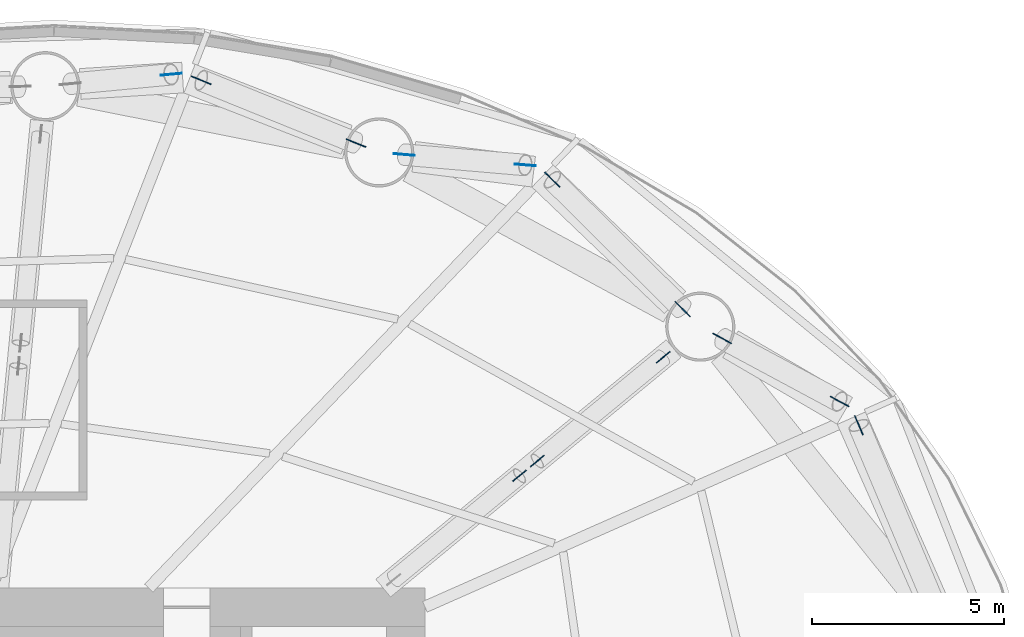
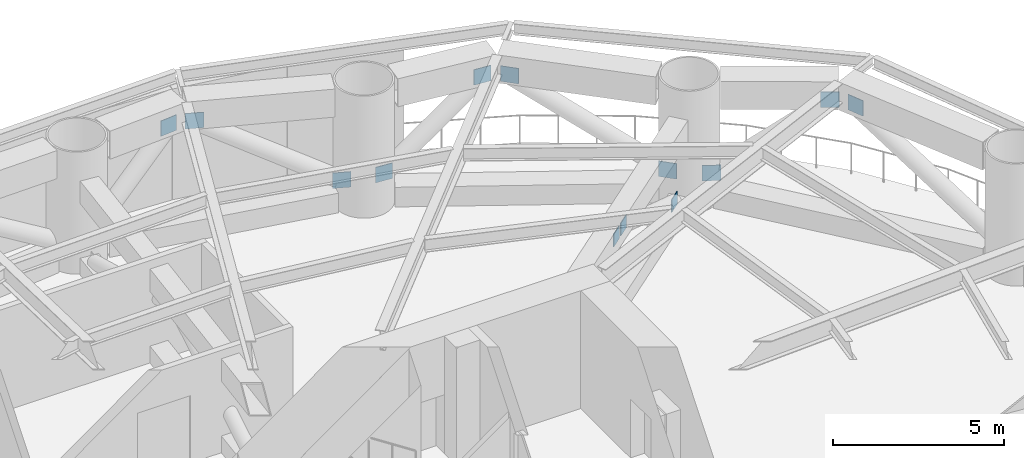
# One storey, part 12 of 15: 13 discrete accessories.
"""IFC4 building model written with IfcOpenShell, lengths in metres."""

import ifcopenshell
import ifcopenshell.guid

model = None  # the IFC model being written
_history = None  # IfcOwnerHistory: only IFC2X3 demands one
_inside = {}  # id of a spatial element -> (the spatial element, [elements in it])
_under = {}  # id of a project, library or spatial element -> (it, [spatial elements below it])
_declared = {}  # id of a project -> (the project, [libraries it declares])
_typed = {}  # id of a type object -> (the type object, [elements of that type])
_made_of = {}  # id of a material, layer set ... -> (it, [elements and type objects made of it])


def new_model(schema):
    """Start an empty IFC model of exactly this schema.

    Asked for "IFC4X3", IfcOpenShell would pick the latest addendum, in which some entities
    have other attributes; the version numbers below select the first issue.
    IFC2X3 requires an IfcOwnerHistory on every rooted entity: one is made here for all.
    """
    global model, _history
    if schema == "IFC4X3":
        model = ifcopenshell.file(schema_version=(4, 3, 0, 0))
    else:
        model = ifcopenshell.file(schema=schema)
    _inside.clear()
    _under.clear()
    _declared.clear()
    _typed.clear()
    _made_of.clear()
    _history = None
    if model.schema == "IFC2X3":
        org = make("IfcOrganization", Name="unknown")
        user = make(
            "IfcPersonAndOrganization",
            ThePerson=make("IfcPerson", FamilyName="unknown"),
            TheOrganization=org,
        )
        app = make(
            "IfcApplication",
            ApplicationDeveloper=org,
            Version="unknown",
            ApplicationFullName="unknown",
            ApplicationIdentifier="unknown",
        )
        _history = make(
            "IfcOwnerHistory",
            OwningUser=user,
            OwningApplication=app,
            ChangeAction="ADDED",
            CreationDate=0,
        )
    return model


def make(cls, **values):
    """One entity of the class cls with the attributes given. An attribute that is None is left unset."""
    return model.create_entity(
        cls, **{name: value for name, value in values.items() if value is not None}
    )


def rooted(cls, **values):
    """An entity with a GlobalId (a new one), such as an element, a storey or a relation."""
    return make(cls, GlobalId=ifcopenshell.guid.new(), OwnerHistory=_history, **values)


def si_unit(unit_type, name, prefix=None):
    """IfcSIUnit, for example si_unit("LENGTHUNIT", "METRE", prefix="MILLI")."""
    return make("IfcSIUnit", UnitType=unit_type, Prefix=prefix, Name=name)


def assignment(units):
    """IfcUnitAssignment: the units of a project."""
    return None if units is None else make("IfcUnitAssignment", Units=units)


def point(xyz):
    """IfcCartesianPoint."""
    return None if xyz is None else make("IfcCartesianPoint", Coordinates=xyz)


def direction(xyz):
    """IfcDirection."""
    return None if xyz is None else make("IfcDirection", DirectionRatios=xyz)


def frame(location, z_axis=None, x_axis=None):
    """IfcAxis2Placement3D, a coordinate frame: its origin and axes. An axis left out is left unset."""
    return make(
        "IfcAxis2Placement3D",
        Location=point(location),
        Axis=direction(z_axis),
        RefDirection=direction(x_axis),
    )


def frame_2d(location, x_axis=None):
    """IfcAxis2Placement2D, a coordinate frame in the plane: its origin and x axis."""
    return make(
        "IfcAxis2Placement2D", Location=point(location), RefDirection=direction(x_axis)
    )


def origin():
    """The frame at (0, 0, 0) with its axes left unset."""
    return frame((0.0, 0.0, 0.0))


def origin_2d():
    """The frame at (0, 0) in the plane with its x axis left unset."""
    return frame_2d((0.0, 0.0))


def place(relative_to, where):
    """IfcLocalPlacement: puts the frame where relative to a parent placement (None: the world)."""
    return make(
        "IfcLocalPlacement", PlacementRelTo=relative_to, RelativePlacement=where
    )


def context(
    kind, dimensions, precision=None, world=None, true_north=None, identifier=None
):
    """IfcGeometricRepresentationContext, for example the 3D "Model" context."""
    return make(
        "IfcGeometricRepresentationContext",
        ContextIdentifier=identifier,
        ContextType=kind,
        CoordinateSpaceDimension=dimensions,
        Precision=precision,
        WorldCoordinateSystem=world,
        TrueNorth=true_north,
    )


def subcontext(parent, identifier, kind, view, scale=None):
    """IfcGeometricRepresentationSubContext, for example "Body" below "Model"."""
    return make(
        "IfcGeometricRepresentationSubContext",
        ContextIdentifier=identifier,
        ContextType=kind,
        ParentContext=parent,
        TargetScale=scale,
        TargetView=view,
    )


def project(units=None, contexts=None):
    """IfcProject with its units and contexts."""
    return rooted(
        "IfcProject",
        Name="project",
        RepresentationContexts=contexts,
        UnitsInContext=assignment(units),
    )


def spatial(cls, under=None, at=None, **own):
    """A site, building, storey or space (cls), placed at a placement, below another one or the project."""
    s = rooted(cls, ObjectPlacement=at, **own)
    if under is not None:
        _under.setdefault(under.id(), (under, []))[1].append(s)
    return s


def profile(cls, at=None, kind="AREA", **sizes):
    """A parametric profile (cls). Its sizes go by their IFC names, for example OverallWidth=200.0."""
    return make(cls, ProfileType=kind, Position=at, **sizes)


def rectangle(**sizes):
    """IfcRectangleProfileDef."""
    return profile("IfcRectangleProfileDef", **sizes)


def extrude(swept, where, along, depth):
    """IfcExtrudedAreaSolid: the profile swept, set in the frame where, extruded along a direction by depth."""
    return make(
        "IfcExtrudedAreaSolid",
        SweptArea=swept,
        Position=where,
        ExtrudedDirection=direction(along),
        Depth=depth,
    )


def shape(context_of_items, identifier, shape_type, items):
    """IfcShapeRepresentation: the items that make up one representation, for example the "Body"."""
    return make(
        "IfcShapeRepresentation",
        ContextOfItems=context_of_items,
        RepresentationIdentifier=identifier,
        RepresentationType=shape_type,
        Items=items,
    )


def made_of(thing, what):
    """Note that an element or type object is made of a material, layer set ...; save() writes the relation."""
    if what is not None:
        _made_of.setdefault(what.id(), (what, []))[1].append(thing)
    return thing


def element(
    cls,
    number,
    at=None,
    inside=None,
    cuts=None,
    type_object=None,
    material=None,
    context=None,
    identifier="Body",
    shape_type=None,
    held_by="IfcProductDefinitionShape",
    body=None,
    shapes=None,
    **own,
):
    """One element of the class cls, such as IfcWall. Its Tag is "e" and its number.

    at: its placement. inside: the storey or other place that contains it. cuts: it is an
    opening in that element (IfcRelVoidsElement). A single representation is given by context,
    identifier, shape_type and body (its items); several are given by shapes. held_by: the class
    of the entity that holds the representations. save() writes the other relations.
    """
    e = rooted(cls, Tag="e%d" % number, ObjectPlacement=at, **own)
    if body is not None:
        shapes = [shape(context, identifier, shape_type, body)]
    if shapes is not None:
        e.Representation = make(held_by, Representations=shapes)
    if inside is not None:
        _inside.setdefault(inside.id(), (inside, []))[1].append(e)
    if cuts is not None:
        rooted(
            "IfcRelVoidsElement", RelatingBuildingElement=cuts, RelatedOpeningElement=e
        )
    if type_object is not None:
        _typed.setdefault(type_object.id(), (type_object, []))[1].append(e)
    return made_of(e, material)


def aggregate(whole, parts):
    """IfcRelAggregates: a whole, such as a stair, and the parts it consists of."""
    return rooted("IfcRelAggregates", RelatingObject=whole, RelatedObjects=parts)


def save(model, path):
    """Write the relations noted so far, then the file.

    IfcRelAggregates (storeys below a building ...), IfcRelContainedInSpatialStructure (elements
    in a storey), IfcRelDefinesByType, IfcRelAssociatesMaterial and IfcRelDeclares: one each for
    every whole, place, type object, material and project.
    """
    for whole, parts in _under.values():
        aggregate(whole, parts)
    for where, things in _inside.values():
        rooted(
            "IfcRelContainedInSpatialStructure",
            RelatedElements=things,
            RelatingStructure=where,
        )
    for kind, things in _typed.values():
        rooted("IfcRelDefinesByType", RelatedObjects=things, RelatingType=kind)
    for what, things in _made_of.values():
        rooted("IfcRelAssociatesMaterial", RelatedObjects=things, RelatingMaterial=what)
    for by, libraries in _declared.values():
        rooted("IfcRelDeclares", RelatingContext=by, RelatedDefinitions=libraries)
    model.write(path)


model = new_model("IFC4")

# Units and contexts
model_context = context("Model", 3, precision=1e-05, world=origin(), true_north=direction((0.0, 1.0)))
body_context = subcontext(model_context, "Body", "Model", "MODEL_VIEW")
ifc_project = project(units=[si_unit("LENGTHUNIT", "METRE"), si_unit("AREAUNIT", "SQUARE_METRE"), si_unit("VOLUMEUNIT", "CUBIC_METRE"), si_unit("PLANEANGLEUNIT", "RADIAN"), si_unit("MASSUNIT", "GRAM", prefix="KILO")], contexts=[model_context])

# Site, building, storey
site_placement = place(None, origin())
site = spatial("IfcSite", under=ifc_project, at=site_placement, CompositionType="ELEMENT")
building_placement = place(site_placement, origin())
building = spatial("IfcBuilding", under=site, at=building_placement, Name="Vermilion Reach Broadcast Tower", CompositionType="ELEMENT")
storey_placement = place(building_placement, frame((0.0, 0.0, 84.10009765625)))
storey = spatial("IfcBuildingStorey", under=building, at=storey_placement, Name="L18", CompositionType="ELEMENT", Elevation=84.10009765625)

# Discrete accessories
for number, where, z_axis, x_axis, name in (
    (1, (17.2939453125, 13.234619140625, 3.06494140625), (0.0, 0.0, 1.0), (-0.921430281897, -0.388543737052, 0.0), "Gusset plate BT1-D01A head"),
    (2, (13.739013671875, 15.49755859375, 0.52490234375), (0.0, 0.0, 1.0), (0.47292431361, 0.881103055038, 0.0), "Gusset plate BT1-D01B foot"),
    (3, (16.79296875, 13.8583984375, 3.06494140625), (0.0, 0.0, 1.0), (0.47292431361, 0.881103055038, 0.0), "Gusset plate BT1-D01B head"),
    (4, (12.705078125, 16.26318359375, 0.52490234375), (0.0, 0.0, 1.0), (-0.704713657538, -0.709491832849, 0.0), "Gusset plate BT1-D02A foot"),
    (5, (9.31494140625, 19.63037109375, 3.06494140625), (0.0, 0.0, 1.0), (-0.704713657538, -0.709491832849, 0.0), "Gusset plate BT1-D02A head"),
    (6, (5.45751953125, 20.283203125, 0.52490234375), (0.0, 0.0, 1.0), (0.085715343395, 0.99631966753, 0.0), "Gusset plate BT1-D02B foot"),
    (7, (8.61181640625, 20.011962890625, 3.06494140625), (0.0, 0.0, 1.0), (0.085715343395, 0.99631966753, 0.0), "Gusset plate BT1-D02B head"),
    (8, (4.20751953125, 20.583251953125, 0.52490234375), (0.0, 0.0, 1.0), (-0.3757466107, -0.926722442022, 0.0), "Gusset plate BT1-D03A foot"),
    (9, (0.178955078125, 22.216552734375, 3.06494140625), (0.0, 0.0, 1.0), (-0.3757466107, -0.926722442022, 0.0), "Gusset plate BT1-D03A head"),
    (10, (-0.605712890625, 22.372314453125, 3.06494140625), (0.0, 0.0, 1.0), (-0.093823902801, 0.995588808326, 0.0), "Gusset plate BT1-D03B head"),
):
    element("IfcDiscreteAccessory", number, at=place(storey_placement, frame(where, z_axis=z_axis, x_axis=x_axis)), inside=storey, Name=name, PredefinedType="NOTDEFINED", context=body_context, shape_type="SweptSolid", body=[
        extrude(rectangle(XDim=0.02490234375, YDim=0.550048828125, at=origin_2d()), origin(), (0.0, 0.0, 1.0), 0.550048828125),
    ])
for number, where, z_axis, x_axis, name in (
    (11, (8.46142578125, 11.92529296875, 2.3212890625), (0.0, 0.0, 1.0), (-0.636213281958, 0.771513227275, 0.0), "Gusset plate OR1-02-DA head"),
    (12, (12.201904296875, 15.009765625, 0.371337890625), (0.0, 0.0, 1.0), (-0.636213281958, 0.771513227275, 0.0), "Gusset plate OR1-02-DB foot"),
    (13, (8.92431640625, 12.30712890625, 2.3212890625), (0.0, 0.0, 1.0), (-0.636213281958, 0.771513227275, 0.0), "Gusset plate OR1-02-DB head"),
):
    element("IfcDiscreteAccessory", number, at=place(storey_placement, frame(where, z_axis=z_axis, x_axis=x_axis)), inside=storey, Name=name, PredefinedType="NOTDEFINED", context=body_context, shape_type="SweptSolid", body=[
        extrude(rectangle(XDim=0.02490234375, YDim=0.45703125, at=origin_2d()), origin(), (0.0, 0.0, 1.0), 0.45703125),
    ])

save(model, "model.ifc")
